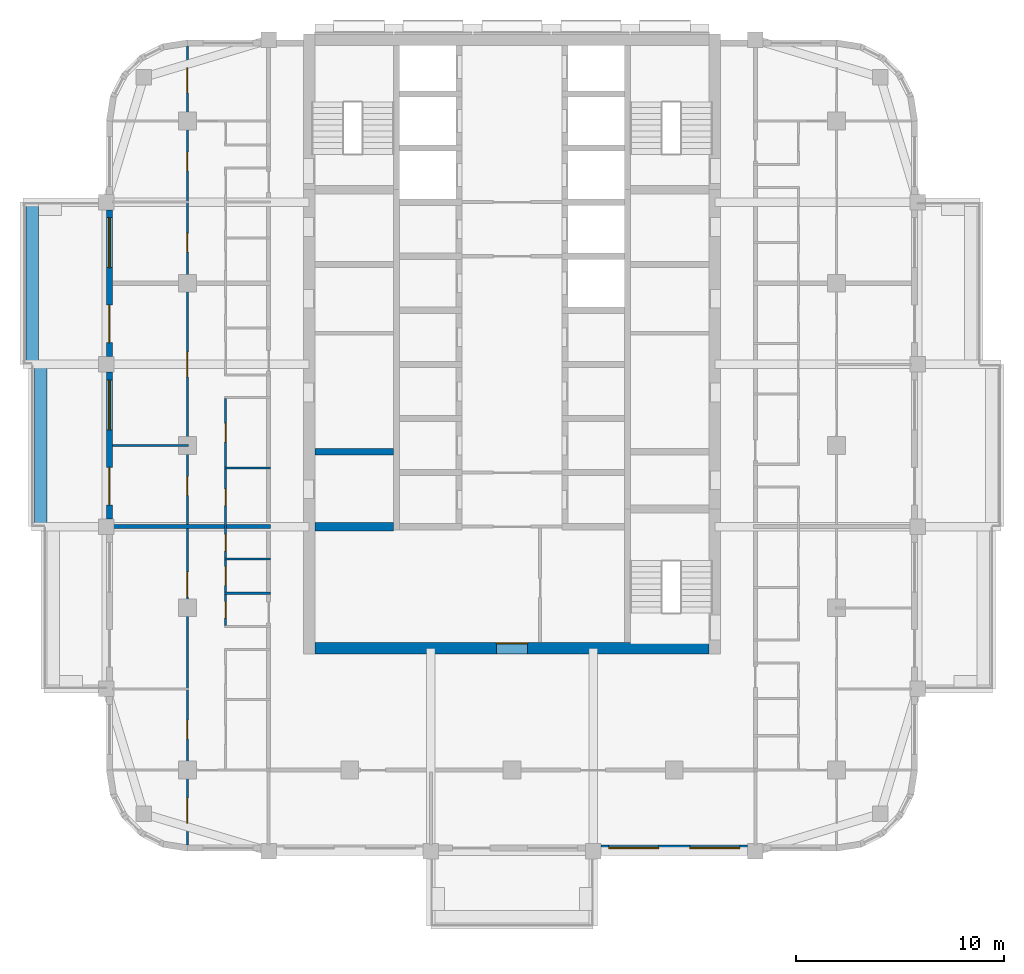
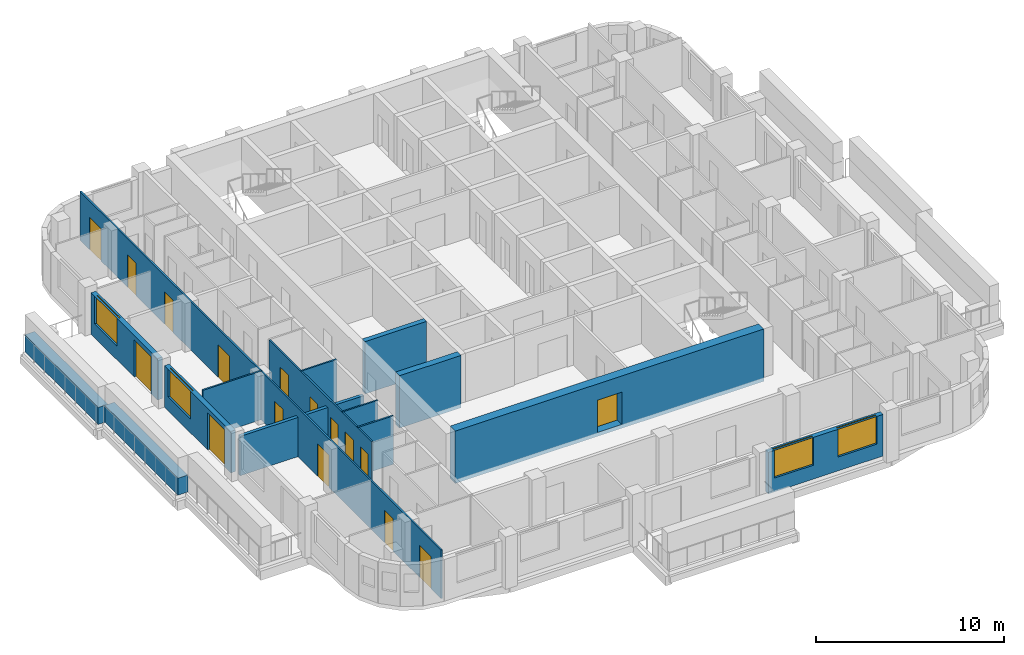
# One storey, part 3 of 13: 16 doors, 15 walls, 4 windows, 20 openings.
"""IFC4 building model written with IfcOpenShell, lengths in metres."""

from ifc_helpers import new_model, si_unit, direction, frame, frame_2d, origin, place, context, subcontext, project, spatial, rectangle, extrude, material, layer, layer_set, type_object, element, fill, save


model = new_model("IFC4")

# Units and contexts
model_context = context("Model", 3, precision=1e-05, world=origin(), true_north=direction((0.0, 1.0)))
body_context = subcontext(model_context, "Body", "Model", "MODEL_VIEW")
ifc_project = project(units=[si_unit("LENGTHUNIT", "METRE"), si_unit("AREAUNIT", "SQUARE_METRE"), si_unit("VOLUMEUNIT", "CUBIC_METRE"), si_unit("PLANEANGLEUNIT", "RADIAN"), si_unit("MASSUNIT", "GRAM", prefix="KILO")], contexts=[model_context])

# Site, building, storey
site_placement = place(None, origin())
site = spatial("IfcSite", under=ifc_project, at=site_placement, CompositionType="ELEMENT")
building_placement = place(site_placement, origin())
building = spatial("IfcBuilding", under=site, at=building_placement, Name="Ludao Terraces", CompositionType="ELEMENT")
storey_placement = place(building_placement, frame((0.0, 0.0, 162.199951171875)))
storey = spatial("IfcBuildingStorey", under=building, at=storey_placement, Name="L44", CompositionType="ELEMENT", Elevation=162.199951171875)

# Wall, opening, door
ifc_material_1 = material(Name="Concrete C60", Category="concrete")
ifc_layer_1 = layer(ifc_material_1, 0.550048828125)
ifc_layer_set_1 = layer_set([ifc_layer_1], Name="Core wall 550 C60")
wall_type_1 = type_object("IfcWallType", Name="Core wall 550 C60", PredefinedType="SOLIDWALL", material=ifc_layer_set_1)
wall_1_placement = place(storey_placement, frame((75.52490234375, 55.25, -0.25), z_axis=(0.0, 0.0, 1.0), x_axis=(1.0, 0.0, 0.0)))
wall_1 = element("IfcWall", 1, at=wall_1_placement, inside=storey, type_object=wall_type_1, Name="Core wall L44 outer-S", PredefinedType="SOLIDWALL", context=body_context, shape_type="SweptSolid", body=[
    extrude(rectangle(XDim=18.9501953125, YDim=0.550048828125, at=frame_2d((9.47509765625, 0.0))), origin(), (0.0, 0.0, 1.0), 3.400146484375),
])
opening_1_placement = place(wall_1_placement, frame((8.72509765625, 0.0, 0.25)))
opening_1 = element("IfcOpeningElement", 2, at=opening_1_placement, cuts=wall_1, Name="Opening R15-015", PredefinedType="OPENING", context=body_context, shape_type="SweptSolid", body=[
    extrude(rectangle(XDim=1.5, YDim=2.10009765625, at=frame_2d((0.75, 1.050048828125))), frame((0.0, 0.28515625, 0.0), z_axis=(0.0, -1.0, 0.0), x_axis=(1.0, 0.0, 0.0)), (0.0, 0.0, 1.0), 0.570068359375),
])
ifc_material_2 = material(Name="Steel Q235", Category="steel")
door_type_1 = type_object("IfcDoorType", Name="INT Lobby door 1500", OperationType="DOUBLE_DOOR_SINGLE_SWING", PredefinedType="DOOR", material=ifc_material_2)
door_1_placement = place(opening_1_placement, origin())
door_1 = element("IfcDoor", 3, at=door_1_placement, inside=storey, type_object=door_type_1, Name="DOOR 015", OperationType="DOUBLE_DOOR_SINGLE_SWING", OverallHeight=2.10009765625, OverallWidth=1.5, PredefinedType="DOOR", context=body_context, shape_type="SweptSolid", body=[
    extrude(rectangle(XDim=1.5, YDim=2.10009765625, at=frame_2d((0.75, 1.050048828125))), frame((0.0, 0.26025390625, 0.0), z_axis=(0.0, -1.0, 0.0), x_axis=(1.0, 0.0, 0.0)), (0.0, 0.0, 1.0), 0.050048828125),
])
fill(opening_1, door_1)

# Walls
ifc_material_3 = material(Name="Concrete C40", Category="concrete")
ifc_layer_2 = layer(ifc_material_3, 0.60009765625)
ifc_layer_set_2 = layer_set([ifc_layer_2], Name="ENV Planter trough 600")
wall_type_2 = type_object("IfcWallType", Name="ENV Planter trough 600", PredefinedType="USERDEFINED", material=ifc_layer_set_2)
wall_2_placement = place(storey_placement, frame((62.35009765625, 61.10009765625, 0.0), z_axis=(0.0, 0.0, 1.0), x_axis=(0.0, 1.0, 0.0)))
element("IfcWall", 4, at=wall_2_placement, inside=storey, type_object=wall_type_2, Name="PL-L44-W2", ObjectType="PLANTER", PredefinedType="USERDEFINED", context=body_context, shape_type="SweptSolid", body=[
    extrude(rectangle(XDim=7.7998046875, YDim=0.60009765625, at=frame_2d((3.89990234375, 0.0))), origin(), (0.0, 0.0, 1.0), 1.10009765625),
])
wall_3_placement = place(storey_placement, frame((61.949951171875, 68.89990234375, 0.0), z_axis=(0.0, 0.0, 1.0), x_axis=(0.0, 1.0, 0.0)))
element("IfcWall", 5, at=wall_3_placement, inside=storey, type_object=wall_type_2, Name="PL-L44-W3", ObjectType="PLANTER", PredefinedType="USERDEFINED", context=body_context, shape_type="SweptSolid", body=[
    extrude(rectangle(XDim=7.800048828125, YDim=0.60009765625, at=frame_2d((3.89990234375, 0.0))), origin(), (0.0, 0.0, 1.0), 1.10009765625),
])

# Wall, openings, windows
ifc_material_4 = material(Name="Granite cladding", Category="masonry")
ifc_layer_3 = layer(ifc_material_4, 0.0400390625, Category="stone")
ifc_material_5 = material(Name="Mineral wool")
ifc_layer_4 = layer(ifc_material_5, 0.06005859375)
ifc_layer_5 = layer(ifc_material_3, 0.199951171875, Category="concrete")
ifc_layer_set_3 = layer_set([ifc_layer_3, ifc_layer_4, ifc_layer_5], Name="ENV Stone-clad wall 300")
wall_type_3 = type_object("IfcWallType", Name="ENV Stone-clad wall 300", PredefinedType="SOLIDWALL", material=ifc_layer_set_3)
wall_4_placement = place(storey_placement, frame((89.27490234375, 45.64990234375, 0.0), z_axis=(0.0, 0.0, 1.0), x_axis=(1.0, 0.0, 0.0)))
wall_4 = element("IfcWall", 6, at=wall_4_placement, inside=storey, type_object=wall_type_3, Name="EW-L44-S4", PredefinedType="SOLIDWALL", context=body_context, shape_type="SweptSolid", body=[
    extrude(rectangle(XDim=7.050048828125, YDim=0.300048828125, at=frame_2d((3.52490234375, 0.0))), origin(), (0.0, 0.0, 1.0), 2.699951171875),
])
opening_2_placement = place(wall_4_placement, frame((0.375, 0.0, 0.89990234375)))
opening_2 = element("IfcOpeningElement", 7, at=opening_2_placement, cuts=wall_4, Name="Opening W1", PredefinedType="OPENING", context=body_context, shape_type="SweptSolid", body=[
    extrude(rectangle(XDim=2.39990234375, YDim=1.800048828125, at=frame_2d((1.199951171875, 0.89990234375))), frame((0.0, 0.16015625, 0.0), z_axis=(0.0, -1.0, 0.0), x_axis=(1.0, 0.0, 0.0)), (0.0, 0.0, 1.0), 0.320068359375),
])
opening_3_placement = place(wall_4_placement, frame((4.27490234375, 0.0, 0.89990234375)))
opening_3 = element("IfcOpeningElement", 8, at=opening_3_placement, cuts=wall_4, Name="Opening W1", PredefinedType="OPENING", context=body_context, shape_type="SweptSolid", body=[
    extrude(rectangle(XDim=2.39990234375, YDim=1.800048828125, at=frame_2d((1.199951171875, 0.89990234375))), frame((0.0, 0.16015625, 0.0), z_axis=(0.0, -1.0, 0.0), x_axis=(1.0, 0.0, 0.0)), (0.0, 0.0, 1.0), 0.320068359375),
])
ifc_material_6 = material(Name="Clear glass in aluminium frame", Category="aluminium")
ifc_layer_6 = layer(ifc_material_6, 0.06005859375)
ifc_layer_set_4 = layer_set([ifc_layer_6], Name="ENV Window W1 2400x1800")
window_type = type_object("IfcWindowType", Name="ENV Window W1 2400x1800", PartitioningType="DOUBLE_PANEL_VERTICAL", PredefinedType="WINDOW", material=ifc_layer_set_4)
window_1_placement = place(opening_2_placement, origin())
window_1 = element("IfcWindow", 9, at=window_1_placement, inside=storey, type_object=window_type, Name="W-L44-S4-1", OverallHeight=1.800048828125, OverallWidth=2.39990234375, PartitioningType="DOUBLE_PANEL_VERTICAL", PredefinedType="WINDOW", context=body_context, shape_type="SweptSolid", body=[
    extrude(rectangle(XDim=2.39990234375, YDim=1.800048828125, at=frame_2d((1.199951171875, 0.89990234375))), frame((0.0, 0.030029296875, 0.0), z_axis=(0.0, -1.0, 0.0), x_axis=(1.0, 0.0, 0.0)), (0.0, 0.0, 1.0), 0.06005859375),
])
fill(opening_2, window_1)
window_2_placement = place(opening_3_placement, origin())
window_2 = element("IfcWindow", 10, at=window_2_placement, inside=storey, type_object=window_type, Name="W-L44-S4-2", OverallHeight=1.800048828125, OverallWidth=2.39990234375, PartitioningType="DOUBLE_PANEL_VERTICAL", PredefinedType="WINDOW", context=body_context, shape_type="SweptSolid", body=[
    extrude(rectangle(XDim=2.39990234375, YDim=1.800048828125, at=frame_2d((1.199951171875, 0.89990234375))), frame((0.0, 0.030029296875, 0.0), z_axis=(0.0, -1.0, 0.0), x_axis=(1.0, 0.0, 0.0)), (0.0, 0.0, 1.0), 0.06005859375),
])
fill(opening_3, window_2)

# Wall, openings, door, window
wall_5_placement = place(storey_placement, frame((65.64990234375, 61.47509765625, 0.0), z_axis=(0.0, 0.0, 1.0), x_axis=(0.0, 1.0, 0.0)))
wall_5 = element("IfcWall", 11, at=wall_5_placement, inside=storey, type_object=wall_type_3, Name="EW-L44-W3", PredefinedType="SOLIDWALL", context=body_context, shape_type="SweptSolid", body=[
    extrude(rectangle(XDim=7.0498046875, YDim=0.300048828125, at=frame_2d((3.52490234375, 0.0))), origin(), (0.0, 0.0, 1.0), 2.699951171875),
])
opening_4_placement = place(wall_5_placement, frame((0.675048828125, 0.0, 0.0)))
opening_4 = element("IfcOpeningElement", 12, at=opening_4_placement, cuts=wall_5, Name="Opening BD", PredefinedType="OPENING", context=body_context, shape_type="SweptSolid", body=[
    extrude(rectangle(XDim=1.800048828125, YDim=2.39990234375, at=frame_2d((0.89990234375, 1.199951171875))), frame((0.0, 0.16015625, 0.0), z_axis=(0.0, -1.0, 0.0), x_axis=(1.0, 0.0, 0.0)), (0.0, 0.0, 1.0), 0.320068359375),
])
opening_5_placement = place(wall_5_placement, frame((4.27490234375, 0.0, 0.89990234375)))
opening_5 = element("IfcOpeningElement", 13, at=opening_5_placement, cuts=wall_5, Name="Opening W1", PredefinedType="OPENING", context=body_context, shape_type="SweptSolid", body=[
    extrude(rectangle(XDim=2.39990234375, YDim=1.800048828125, at=frame_2d((1.199951171875, 0.89990234375))), frame((0.0, 0.16015625, 0.0), z_axis=(0.0, -1.0, 0.0), x_axis=(1.0, 0.0, 0.0)), (0.0, 0.0, 1.0), 0.320068359375),
])
ifc_material_7 = material(Name="Aluminium glazed door", Category="aluminium")
ifc_layer_7 = layer(ifc_material_7, 0.06005859375)
ifc_layer_set_5 = layer_set([ifc_layer_7], Name="ENV Balcony door BD 1800x2400")
door_type_2 = type_object("IfcDoorType", Name="ENV Balcony door BD 1800x2400", OperationType="DOUBLE_DOOR_SINGLE_SWING", PredefinedType="DOOR", material=ifc_layer_set_5)
door_2_placement = place(opening_4_placement, origin())
door_2 = element("IfcDoor", 14, at=door_2_placement, inside=storey, type_object=door_type_2, Name="BD-L44-W3-1", OperationType="DOUBLE_DOOR_SINGLE_SWING", OverallHeight=2.39990234375, OverallWidth=1.800048828125, PredefinedType="DOOR", context=body_context, shape_type="SweptSolid", body=[
    extrude(rectangle(XDim=1.800048828125, YDim=2.39990234375, at=frame_2d((0.89990234375, 1.199951171875))), frame((0.0, 0.02490234375, 0.0), z_axis=(0.0, -1.0, 0.0), x_axis=(1.0, 0.0, 0.0)), (0.0, 0.0, 1.0), 0.050048828125),
])
fill(opening_4, door_2)
window_3_placement = place(opening_5_placement, origin())
window_3 = element("IfcWindow", 15, at=window_3_placement, inside=storey, type_object=window_type, Name="W-L44-W3-2", OverallHeight=1.800048828125, OverallWidth=2.39990234375, PartitioningType="DOUBLE_PANEL_VERTICAL", PredefinedType="WINDOW", context=body_context, shape_type="SweptSolid", body=[
    extrude(rectangle(XDim=2.39990234375, YDim=1.800048828125, at=frame_2d((1.199951171875, 0.89990234375))), frame((0.0, 0.030029296875, 0.0), z_axis=(0.0, -1.0, 0.0), x_axis=(1.0, 0.0, 0.0)), (0.0, 0.0, 1.0), 0.06005859375),
])
fill(opening_5, window_3)

wall_6_placement = place(storey_placement, frame((65.64990234375, 69.27490234375, 0.0), z_axis=(0.0, 0.0, 1.0), x_axis=(0.0, 1.0, 0.0)))
wall_6 = element("IfcWall", 16, at=wall_6_placement, inside=storey, type_object=wall_type_3, Name="EW-L44-W4", PredefinedType="SOLIDWALL", context=body_context, shape_type="SweptSolid", body=[
    extrude(rectangle(XDim=7.050048828125, YDim=0.300048828125, at=frame_2d((3.52490234375, 0.0))), origin(), (0.0, 0.0, 1.0), 2.699951171875),
])
opening_6_placement = place(wall_6_placement, frame((0.675048828125, 0.0, 0.0)))
opening_6 = element("IfcOpeningElement", 17, at=opening_6_placement, cuts=wall_6, Name="Opening BD", PredefinedType="OPENING", context=body_context, shape_type="SweptSolid", body=[
    extrude(rectangle(XDim=1.800048828125, YDim=2.39990234375, at=frame_2d((0.89990234375, 1.199951171875))), frame((0.0, 0.16015625, 0.0), z_axis=(0.0, -1.0, 0.0), x_axis=(1.0, 0.0, 0.0)), (0.0, 0.0, 1.0), 0.320068359375),
])
opening_7_placement = place(wall_6_placement, frame((4.27490234375, 0.0, 0.89990234375)))
opening_7 = element("IfcOpeningElement", 18, at=opening_7_placement, cuts=wall_6, Name="Opening W1", PredefinedType="OPENING", context=body_context, shape_type="SweptSolid", body=[
    extrude(rectangle(XDim=2.39990234375, YDim=1.800048828125, at=frame_2d((1.199951171875, 0.89990234375))), frame((0.0, 0.16015625, 0.0), z_axis=(0.0, -1.0, 0.0), x_axis=(1.0, 0.0, 0.0)), (0.0, 0.0, 1.0), 0.320068359375),
])
door_3_placement = place(opening_6_placement, origin())
door_3 = element("IfcDoor", 19, at=door_3_placement, inside=storey, type_object=door_type_2, Name="BD-L44-W4-1", OperationType="DOUBLE_DOOR_SINGLE_SWING", OverallHeight=2.39990234375, OverallWidth=1.800048828125, PredefinedType="DOOR", context=body_context, shape_type="SweptSolid", body=[
    extrude(rectangle(XDim=1.800048828125, YDim=2.39990234375, at=frame_2d((0.89990234375, 1.199951171875))), frame((0.0, 0.02490234375, 0.0), z_axis=(0.0, -1.0, 0.0), x_axis=(1.0, 0.0, 0.0)), (0.0, 0.0, 1.0), 0.050048828125),
])
fill(opening_6, door_3)
window_4_placement = place(opening_7_placement, origin())
window_4 = element("IfcWindow", 20, at=window_4_placement, inside=storey, type_object=window_type, Name="W-L44-W4-2", OverallHeight=1.800048828125, OverallWidth=2.39990234375, PartitioningType="DOUBLE_PANEL_VERTICAL", PredefinedType="WINDOW", context=body_context, shape_type="SweptSolid", body=[
    extrude(rectangle(XDim=2.39990234375, YDim=1.800048828125, at=frame_2d((1.199951171875, 0.89990234375))), frame((0.0, 0.030029296875, 0.0), z_axis=(0.0, -1.0, 0.0), x_axis=(1.0, 0.0, 0.0)), (0.0, 0.0, 1.0), 0.06005859375),
])
fill(opening_7, window_4)

# Walls
ifc_material_8 = material(Name="Gypsum plasterboard", Category="gypsum")
ifc_layer_8 = layer(ifc_material_8, 0.012451171875, Category="gypsum")
ifc_layer_9 = layer(ifc_material_5, 0.06005859375, Name="insulation")
ifc_layer_10 = layer(ifc_material_2, 0.014892578125, Name="stud")
ifc_layer_11 = layer(ifc_material_8, 0.012451171875, Category="gypsum")
ifc_layer_set_6 = layer_set([ifc_layer_8, ifc_layer_9, ifc_layer_10, ifc_layer_11], Name="INT Partition 100")
wall_type_4 = type_object("IfcWallType", Name="INT Partition 100", PredefinedType="PARTITIONING", material=ifc_layer_set_6)
for number, where, z_axis, x_axis, name in (
    (21, (71.18017578125, 57.89990234375, 0.0), (0.0, 0.0, 1.0), (1.0, 0.0, 0.0), "PW-L44-PW013"),
    (22, (71.18017578125, 59.550048828125, 0.0), (0.0, 0.0, 1.0), (1.0, 0.0, 0.0), "PW-L44-PW015"),
    (23, (71.18017578125, 63.929931640625, 0.0), (0.0, 0.0, 1.0), (1.0, 0.0, 0.0), "PW-L44-PW021"),
):
    element("IfcWall", number, at=place(storey_placement, frame(where, z_axis=z_axis, x_axis=x_axis)), inside=storey, type_object=wall_type_4, Name=name, PredefinedType="PARTITIONING", context=body_context, shape_type="SweptSolid", body=[
        extrude(rectangle(XDim=2.219970703125, YDim=0.10009765625, at=frame_2d((1.10986328125, 0.0))), origin(), (0.0, 0.0, 1.0), 3.150146484375),
    ])
wall_7_placement = place(storey_placement, frame((65.800048828125, 65.0, 0.0), z_axis=(0.0, 0.0, 1.0), x_axis=(1.0, 0.0, 0.0)))
element("IfcWall", 24, at=wall_7_placement, inside=storey, type_object=wall_type_4, Name="PW-L44-PW023", PredefinedType="PARTITIONING", context=body_context, shape_type="SweptSolid", body=[
    extrude(rectangle(XDim=3.650146484375, YDim=0.10009765625, at=frame_2d((1.8251953125, 0.0))), origin(), (0.0, 0.0, 1.0), 3.150146484375),
])

# Wall, openings, doors
wall_8_placement = place(storey_placement, frame((69.39990234375, 45.800048828125, 0.0), z_axis=(0.0, 0.0, 1.0), x_axis=(0.0, 1.0, 0.0)))
wall_8 = element("IfcWall", 25, at=wall_8_placement, inside=storey, type_object=wall_type_4, Name="PW-L44-PW046", PredefinedType="PARTITIONING", context=body_context, shape_type="SweptSolid", body=[
    extrude(rectangle(XDim=38.400146484375, YDim=0.10009765625, at=frame_2d((19.2001953125, 0.0))), origin(), (0.0, 0.0, 1.0), 3.150146484375),
])
opening_8_placement = place(wall_8_placement, frame((1.050048828125, 0.0, 0.0)))
opening_8 = element("IfcOpeningElement", 26, at=opening_8_placement, cuts=wall_8, Name="Opening R15-001", PredefinedType="OPENING", context=body_context, shape_type="SweptSolid", body=[
    extrude(rectangle(XDim=1.199951171875, YDim=2.10009765625, at=frame_2d((0.60009765625, 1.050048828125))), frame((0.0, 0.06005859375, 0.0), z_axis=(0.0, -1.0, 0.0), x_axis=(1.0, 0.0, 0.0)), (0.0, 0.0, 1.0), 0.1201171875),
])
opening_9_placement = place(wall_8_placement, frame((5.10009765625, 0.0, 0.0)))
opening_9 = element("IfcOpeningElement", 27, at=opening_9_placement, cuts=wall_8, Name="Opening R15-009", PredefinedType="OPENING", context=body_context, shape_type="SweptSolid", body=[
    extrude(rectangle(XDim=0.89990234375, YDim=2.10009765625, at=frame_2d((0.449951171875, 1.050048828125))), frame((0.0, 0.06005859375, 0.0), z_axis=(0.0, -1.0, 0.0), x_axis=(1.0, 0.0, 0.0)), (0.0, 0.0, 1.0), 0.1201171875),
])
opening_10_placement = place(wall_8_placement, frame((11.925048828125, 0.0, 0.0)))
opening_10 = element("IfcOpeningElement", 28, at=opening_10_placement, cuts=wall_8, Name="Opening R15-022", PredefinedType="OPENING", context=body_context, shape_type="SweptSolid", body=[
    extrude(rectangle(XDim=1.199951171875, YDim=2.10009765625, at=frame_2d((0.60009765625, 1.050048828125))), frame((0.0, 0.06005859375, 0.0), z_axis=(0.0, -1.0, 0.0), x_axis=(1.0, 0.0, 0.0)), (0.0, 0.0, 1.0), 0.1201171875),
])
opening_11_placement = place(wall_8_placement, frame((16.800048828125, 0.0, 0.0)))
opening_11 = element("IfcOpeningElement", 29, at=opening_11_placement, cuts=wall_8, Name="Opening R15-033", PredefinedType="OPENING", context=body_context, shape_type="SweptSolid", body=[
    extrude(rectangle(XDim=0.89990234375, YDim=2.10009765625, at=frame_2d((0.449951171875, 1.050048828125))), frame((0.0, 0.06005859375, 0.0), z_axis=(0.0, -1.0, 0.0), x_axis=(1.0, 0.0, 0.0)), (0.0, 0.0, 1.0), 0.1201171875),
])
opening_12_placement = place(wall_8_placement, frame((22.5, 0.0, 0.0)))
opening_12 = element("IfcOpeningElement", 30, at=opening_12_placement, cuts=wall_8, Name="Opening R15-047", PredefinedType="OPENING", context=body_context, shape_type="SweptSolid", body=[
    extrude(rectangle(XDim=1.199951171875, YDim=2.10009765625, at=frame_2d((0.60009765625, 1.050048828125))), frame((0.0, 0.06005859375, 0.0), z_axis=(0.0, -1.0, 0.0), x_axis=(1.0, 0.0, 0.0)), (0.0, 0.0, 1.0), 0.1201171875),
])
opening_13_placement = place(wall_8_placement, frame((28.5, 0.0, 0.0)))
opening_13 = element("IfcOpeningElement", 31, at=opening_13_placement, cuts=wall_8, Name="Opening R15-062", PredefinedType="OPENING", context=body_context, shape_type="SweptSolid", body=[
    extrude(rectangle(XDim=0.89990234375, YDim=2.10009765625, at=frame_2d((0.449951171875, 1.050048828125))), frame((0.0, 0.06005859375, 0.0), z_axis=(0.0, -1.0, 0.0), x_axis=(1.0, 0.0, 0.0)), (0.0, 0.0, 1.0), 0.1201171875),
])
opening_14_placement = place(wall_8_placement, frame((32.39990234375, 0.0, 0.0)))
opening_14 = element("IfcOpeningElement", 32, at=opening_14_placement, cuts=wall_8, Name="Opening R15-077", PredefinedType="OPENING", context=body_context, shape_type="SweptSolid", body=[
    extrude(rectangle(XDim=0.89990234375, YDim=2.10009765625, at=frame_2d((0.449951171875, 1.050048828125))), frame((0.0, 0.06005859375, 0.0), z_axis=(0.0, -1.0, 0.0), x_axis=(1.0, 0.0, 0.0)), (0.0, 0.0, 1.0), 0.1201171875),
])
opening_15_placement = place(wall_8_placement, frame((36.14990234375, 0.0, 0.0)))
opening_15 = element("IfcOpeningElement", 33, at=opening_15_placement, cuts=wall_8, Name="Opening R15-085", PredefinedType="OPENING", context=body_context, shape_type="SweptSolid", body=[
    extrude(rectangle(XDim=1.199951171875, YDim=2.10009765625, at=frame_2d((0.60009765625, 1.050048828125))), frame((0.0, 0.06005859375, 0.0), z_axis=(0.0, -1.0, 0.0), x_axis=(1.0, 0.0, 0.0)), (0.0, 0.0, 1.0), 0.1201171875),
])
ifc_material_9 = material(Name="Timber door leaf", Category="wood")
door_type_3 = type_object("IfcDoorType", Name="INT Double door 1200", OperationType="DOUBLE_DOOR_SINGLE_SWING", PredefinedType="DOOR", material=ifc_material_9)
door_4_placement = place(opening_8_placement, origin())
door_4 = element("IfcDoor", 34, at=door_4_placement, inside=storey, type_object=door_type_3, Name="DOOR 001", OperationType="DOUBLE_DOOR_SINGLE_SWING", OverallHeight=2.10009765625, OverallWidth=1.199951171875, PredefinedType="DOOR", context=body_context, shape_type="SweptSolid", body=[
    extrude(rectangle(XDim=1.199951171875, YDim=2.10009765625, at=frame_2d((0.60009765625, 1.050048828125))), frame((0.0, 0.02490234375, 0.0), z_axis=(0.0, -1.0, 0.0), x_axis=(1.0, 0.0, 0.0)), (0.0, 0.0, 1.0), 0.050048828125),
])
fill(opening_8, door_4)
door_5_placement = place(opening_10_placement, origin())
door_5 = element("IfcDoor", 35, at=door_5_placement, inside=storey, type_object=door_type_3, Name="DOOR 022", OperationType="DOUBLE_DOOR_SINGLE_SWING", OverallHeight=2.10009765625, OverallWidth=1.199951171875, PredefinedType="DOOR", context=body_context, shape_type="SweptSolid", body=[
    extrude(rectangle(XDim=1.199951171875, YDim=2.10009765625, at=frame_2d((0.60009765625, 1.050048828125))), frame((0.0, 0.02490234375, 0.0), z_axis=(0.0, -1.0, 0.0), x_axis=(1.0, 0.0, 0.0)), (0.0, 0.0, 1.0), 0.050048828125),
])
fill(opening_10, door_5)
door_6_placement = place(opening_12_placement, origin())
door_6 = element("IfcDoor", 36, at=door_6_placement, inside=storey, type_object=door_type_3, Name="DOOR 047", OperationType="DOUBLE_DOOR_SINGLE_SWING", OverallHeight=2.10009765625, OverallWidth=1.199951171875, PredefinedType="DOOR", context=body_context, shape_type="SweptSolid", body=[
    extrude(rectangle(XDim=1.199951171875, YDim=2.10009765625, at=frame_2d((0.60009765625, 1.050048828125))), frame((0.0, 0.02490234375, 0.0), z_axis=(0.0, -1.0, 0.0), x_axis=(1.0, 0.0, 0.0)), (0.0, 0.0, 1.0), 0.050048828125),
])
fill(opening_12, door_6)
door_7_placement = place(opening_15_placement, origin())
door_7 = element("IfcDoor", 37, at=door_7_placement, inside=storey, type_object=door_type_3, Name="DOOR 085", OperationType="DOUBLE_DOOR_SINGLE_SWING", OverallHeight=2.10009765625, OverallWidth=1.199951171875, PredefinedType="DOOR", context=body_context, shape_type="SweptSolid", body=[
    extrude(rectangle(XDim=1.199951171875, YDim=2.10009765625, at=frame_2d((0.60009765625, 1.050048828125))), frame((0.0, 0.02490234375, 0.0), z_axis=(0.0, -1.0, 0.0), x_axis=(1.0, 0.0, 0.0)), (0.0, 0.0, 1.0), 0.050048828125),
])
fill(opening_15, door_7)
door_type_4 = type_object("IfcDoorType", Name="INT Room door 900", OperationType="SINGLE_SWING_LEFT", PredefinedType="DOOR", material=ifc_material_9)
door_8_placement = place(opening_9_placement, origin())
door_8 = element("IfcDoor", 38, at=door_8_placement, inside=storey, type_object=door_type_4, Name="DOOR 009", OperationType="SINGLE_SWING_RIGHT", OverallHeight=2.10009765625, OverallWidth=0.89990234375, PredefinedType="DOOR", context=body_context, shape_type="SweptSolid", body=[
    extrude(rectangle(XDim=0.89990234375, YDim=2.10009765625, at=frame_2d((0.449951171875, 1.050048828125))), frame((0.0, 0.02490234375, 0.0), z_axis=(0.0, -1.0, 0.0), x_axis=(1.0, 0.0, 0.0)), (0.0, 0.0, 1.0), 0.050048828125),
])
fill(opening_9, door_8)
door_9_placement = place(opening_11_placement, origin())
door_9 = element("IfcDoor", 39, at=door_9_placement, inside=storey, type_object=door_type_4, Name="DOOR 033", OperationType="SINGLE_SWING_RIGHT", OverallHeight=2.10009765625, OverallWidth=0.89990234375, PredefinedType="DOOR", context=body_context, shape_type="SweptSolid", body=[
    extrude(rectangle(XDim=0.89990234375, YDim=2.10009765625, at=frame_2d((0.449951171875, 1.050048828125))), frame((0.0, 0.02490234375, 0.0), z_axis=(0.0, -1.0, 0.0), x_axis=(1.0, 0.0, 0.0)), (0.0, 0.0, 1.0), 0.050048828125),
])
fill(opening_11, door_9)
door_10_placement = place(opening_13_placement, origin())
door_10 = element("IfcDoor", 40, at=door_10_placement, inside=storey, type_object=door_type_4, Name="DOOR 062", OperationType="SINGLE_SWING_RIGHT", OverallHeight=2.10009765625, OverallWidth=0.89990234375, PredefinedType="DOOR", context=body_context, shape_type="SweptSolid", body=[
    extrude(rectangle(XDim=0.89990234375, YDim=2.10009765625, at=frame_2d((0.449951171875, 1.050048828125))), frame((0.0, 0.02490234375, 0.0), z_axis=(0.0, -1.0, 0.0), x_axis=(1.0, 0.0, 0.0)), (0.0, 0.0, 1.0), 0.050048828125),
])
fill(opening_13, door_10)
door_11_placement = place(opening_14_placement, origin())
door_11 = element("IfcDoor", 41, at=door_11_placement, inside=storey, type_object=door_type_4, Name="DOOR 077", OperationType="SINGLE_SWING_RIGHT", OverallHeight=2.10009765625, OverallWidth=0.89990234375, PredefinedType="DOOR", context=body_context, shape_type="SweptSolid", body=[
    extrude(rectangle(XDim=0.89990234375, YDim=2.10009765625, at=frame_2d((0.449951171875, 1.050048828125))), frame((0.0, 0.02490234375, 0.0), z_axis=(0.0, -1.0, 0.0), x_axis=(1.0, 0.0, 0.0)), (0.0, 0.0, 1.0), 0.050048828125),
])
fill(opening_14, door_11)

wall_9_placement = place(storey_placement, frame((71.22998046875, 56.35009765625, 0.0), z_axis=(0.0, 0.0, 1.0), x_axis=(0.0, 1.0, 0.0)))
wall_9 = element("IfcWall", 42, at=wall_9_placement, inside=storey, type_object=wall_type_4, Name="PW-L44-PW048", PredefinedType="PARTITIONING", context=body_context, shape_type="SweptSolid", body=[
    extrude(rectangle(XDim=10.89990234375, YDim=0.10009765625, at=frame_2d((5.449951171875, 0.0))), origin(), (0.0, 0.0, 1.0), 3.150146484375),
])
opening_16_placement = place(wall_9_placement, frame((0.35009765625, 0.0, 0.0)))
opening_16 = element("IfcOpeningElement", 43, at=opening_16_placement, cuts=wall_9, Name="Opening R15-020", PredefinedType="OPENING", context=body_context, shape_type="SweptSolid", body=[
    extrude(rectangle(XDim=0.800048828125, YDim=2.10009765625, at=frame_2d((0.39990234375, 1.050048828125))), frame((0.0, 0.06005859375, 0.0), z_axis=(0.0, -1.0, 0.0), x_axis=(1.0, 0.0, 0.0)), (0.0, 0.0, 1.0), 0.1201171875),
])
opening_17_placement = place(wall_9_placement, frame((1.925048828125, 0.0, 0.0)))
opening_17 = element("IfcOpeningElement", 44, at=opening_17_placement, cuts=wall_9, Name="Opening R15-023", PredefinedType="OPENING", context=body_context, shape_type="SweptSolid", body=[
    extrude(rectangle(XDim=0.89990234375, YDim=2.10009765625, at=frame_2d((0.449951171875, 1.050048828125))), frame((0.0, 0.06005859375, 0.0), z_axis=(0.0, -1.0, 0.0), x_axis=(1.0, 0.0, 0.0)), (0.0, 0.0, 1.0), 0.1201171875),
])
opening_18_placement = place(wall_9_placement, frame((3.574951171875, 0.0, 0.0)))
opening_18 = element("IfcOpeningElement", 45, at=opening_18_placement, cuts=wall_9, Name="Opening R15-026", PredefinedType="OPENING", context=body_context, shape_type="SweptSolid", body=[
    extrude(rectangle(XDim=0.800048828125, YDim=2.10009765625, at=frame_2d((0.39990234375, 1.050048828125))), frame((0.0, 0.06005859375, 0.0), z_axis=(0.0, -1.0, 0.0), x_axis=(1.0, 0.0, 0.0)), (0.0, 0.0, 1.0), 0.1201171875),
])
opening_19_placement = place(wall_9_placement, frame((5.764892578125, 0.0, 0.0)))
opening_19 = element("IfcOpeningElement", 46, at=opening_19_placement, cuts=wall_9, Name="Opening R15-031", PredefinedType="OPENING", context=body_context, shape_type="SweptSolid", body=[
    extrude(rectangle(XDim=0.800048828125, YDim=2.10009765625, at=frame_2d((0.39990234375, 1.050048828125))), frame((0.0, 0.06005859375, 0.0), z_axis=(0.0, -1.0, 0.0), x_axis=(1.0, 0.0, 0.0)), (0.0, 0.0, 1.0), 0.1201171875),
])
opening_20_placement = place(wall_9_placement, frame((8.81494140625, 0.0, 0.0)))
opening_20 = element("IfcOpeningElement", 47, at=opening_20_placement, cuts=wall_9, Name="Opening R15-039", PredefinedType="OPENING", context=body_context, shape_type="SweptSolid", body=[
    extrude(rectangle(XDim=0.89990234375, YDim=2.10009765625, at=frame_2d((0.449951171875, 1.050048828125))), frame((0.0, 0.06005859375, 0.0), z_axis=(0.0, -1.0, 0.0), x_axis=(1.0, 0.0, 0.0)), (0.0, 0.0, 1.0), 0.1201171875),
])
door_type_5 = type_object("IfcDoorType", Name="INT Bathroom door 900", OperationType="SINGLE_SWING_LEFT", PredefinedType="DOOR", material=ifc_material_9)
door_12_placement = place(opening_17_placement, origin())
door_12 = element("IfcDoor", 48, at=door_12_placement, inside=storey, type_object=door_type_5, Name="DOOR 023", OperationType="SINGLE_SWING_LEFT", OverallHeight=2.10009765625, OverallWidth=0.89990234375, PredefinedType="DOOR", context=body_context, shape_type="SweptSolid", body=[
    extrude(rectangle(XDim=0.89990234375, YDim=2.10009765625, at=frame_2d((0.449951171875, 1.050048828125))), frame((0.0, 0.02490234375, 0.0), z_axis=(0.0, -1.0, 0.0), x_axis=(1.0, 0.0, 0.0)), (0.0, 0.0, 1.0), 0.050048828125),
])
fill(opening_17, door_12)
door_13_placement = place(opening_20_placement, origin())
door_13 = element("IfcDoor", 49, at=door_13_placement, inside=storey, type_object=door_type_4, Name="DOOR 039", OperationType="SINGLE_SWING_RIGHT", OverallHeight=2.10009765625, OverallWidth=0.89990234375, PredefinedType="DOOR", context=body_context, shape_type="SweptSolid", body=[
    extrude(rectangle(XDim=0.89990234375, YDim=2.10009765625, at=frame_2d((0.449951171875, 1.050048828125))), frame((0.0, 0.02490234375, 0.0), z_axis=(0.0, -1.0, 0.0), x_axis=(1.0, 0.0, 0.0)), (0.0, 0.0, 1.0), 0.050048828125),
])
fill(opening_20, door_13)
door_type_6 = type_object("IfcDoorType", Name="INT Store door 800", OperationType="SINGLE_SWING_LEFT", PredefinedType="DOOR", material=ifc_material_9)
door_14_placement = place(opening_16_placement, origin())
door_14 = element("IfcDoor", 50, at=door_14_placement, inside=storey, type_object=door_type_6, Name="DOOR 020", OperationType="SINGLE_SWING_LEFT", OverallHeight=2.10009765625, OverallWidth=0.800048828125, PredefinedType="DOOR", context=body_context, shape_type="SweptSolid", body=[
    extrude(rectangle(XDim=0.800048828125, YDim=2.10009765625, at=frame_2d((0.39990234375, 1.050048828125))), frame((0.0, 0.02490234375, 0.0), z_axis=(0.0, -1.0, 0.0), x_axis=(1.0, 0.0, 0.0)), (0.0, 0.0, 1.0), 0.050048828125),
])
fill(opening_16, door_14)
door_15_placement = place(opening_18_placement, origin())
door_15 = element("IfcDoor", 51, at=door_15_placement, inside=storey, type_object=door_type_6, Name="DOOR 026", OperationType="SINGLE_SWING_LEFT", OverallHeight=2.10009765625, OverallWidth=0.800048828125, PredefinedType="DOOR", context=body_context, shape_type="SweptSolid", body=[
    extrude(rectangle(XDim=0.800048828125, YDim=2.10009765625, at=frame_2d((0.39990234375, 1.050048828125))), frame((0.0, 0.02490234375, 0.0), z_axis=(0.0, -1.0, 0.0), x_axis=(1.0, 0.0, 0.0)), (0.0, 0.0, 1.0), 0.050048828125),
])
fill(opening_18, door_15)
door_16_placement = place(opening_19_placement, origin())
door_16 = element("IfcDoor", 52, at=door_16_placement, inside=storey, type_object=door_type_6, Name="DOOR 031", OperationType="SINGLE_SWING_RIGHT", OverallHeight=2.10009765625, OverallWidth=0.800048828125, PredefinedType="DOOR", context=body_context, shape_type="SweptSolid", body=[
    extrude(rectangle(XDim=0.800048828125, YDim=2.10009765625, at=frame_2d((0.39990234375, 1.050048828125))), frame((0.0, 0.02490234375, 0.0), z_axis=(0.0, -1.0, 0.0), x_axis=(1.0, 0.0, 0.0)), (0.0, 0.0, 1.0), 0.050048828125),
])
fill(opening_19, door_16)

# Walls
ifc_material_10 = material(Name="Autoclaved aerated concrete block B06 A3.5", Category="concrete")
ifc_layer_12 = layer(ifc_material_10, 0.199951171875)
ifc_layer_set_7 = layer_set([ifc_layer_12], Name="INT Party wall 200")
wall_type_5 = type_object("IfcWallType", Name="INT Party wall 200", PredefinedType="PARTITIONING", material=ifc_layer_set_7)
wall_10_placement = place(storey_placement, frame((65.800048828125, 61.10009765625, 0.0), z_axis=(0.0, 0.0, 1.0), x_axis=(1.0, 0.0, 0.0)))
element("IfcWall", 53, at=wall_10_placement, inside=storey, type_object=wall_type_5, Name="PW-L44-PW016", PredefinedType="PARTITIONING", context=body_context, shape_type="SweptSolid", body=[
    extrude(rectangle(XDim=7.60009765625, YDim=0.199951171875, at=frame_2d((3.800048828125, 0.0))), origin(), (0.0, 0.0, 1.0), 2.550048828125),
])
ifc_material_11 = material(Name="Concrete C55", Category="concrete")
ifc_layer_13 = layer(ifc_material_11, 0.300048828125)
ifc_layer_set_8 = layer_set([ifc_layer_13], Name="Shaft wall 300 C55")
wall_type_6 = type_object("IfcWallType", Name="Shaft wall 300 C55", PredefinedType="SOLIDWALL", material=ifc_layer_set_8)
wall_11_placement = place(storey_placement, frame((75.52490234375, 64.699951171875, -0.25), z_axis=(0.0, 0.0, 1.0), x_axis=(1.0, 0.0, 0.0)))
element("IfcWall", 54, at=wall_11_placement, inside=storey, type_object=wall_type_6, Name="Core wall L44 riser-a-W", PredefinedType="SOLIDWALL", context=body_context, shape_type="SweptSolid", body=[
    extrude(rectangle(XDim=3.775146484375, YDim=0.300048828125, at=frame_2d((1.8876953125, 0.0))), origin(), (0.0, 0.0, 1.0), 3.400146484375),
])
ifc_layer_14 = layer(ifc_material_11, 0.39990234375)
ifc_layer_set_9 = layer_set([ifc_layer_14], Name="Shaft wall 400 C55")
wall_type_7 = type_object("IfcWallType", Name="Shaft wall 400 C55", PredefinedType="SOLIDWALL", material=ifc_layer_set_9)
wall_12_placement = place(storey_placement, frame((75.52490234375, 61.10009765625, -0.25), z_axis=(0.0, 0.0, 1.0), x_axis=(1.0, 0.0, 0.0)))
element("IfcWall", 55, at=wall_12_placement, inside=storey, type_object=wall_type_7, Name="Core wall L44 hall-W", PredefinedType="SOLIDWALL", context=body_context, shape_type="SweptSolid", body=[
    extrude(rectangle(XDim=3.775146484375, YDim=0.39990234375, at=frame_2d((1.8876953125, 0.0))), origin(), (0.0, 0.0, 1.0), 3.400146484375),
])

save(model, "model.ifc")
